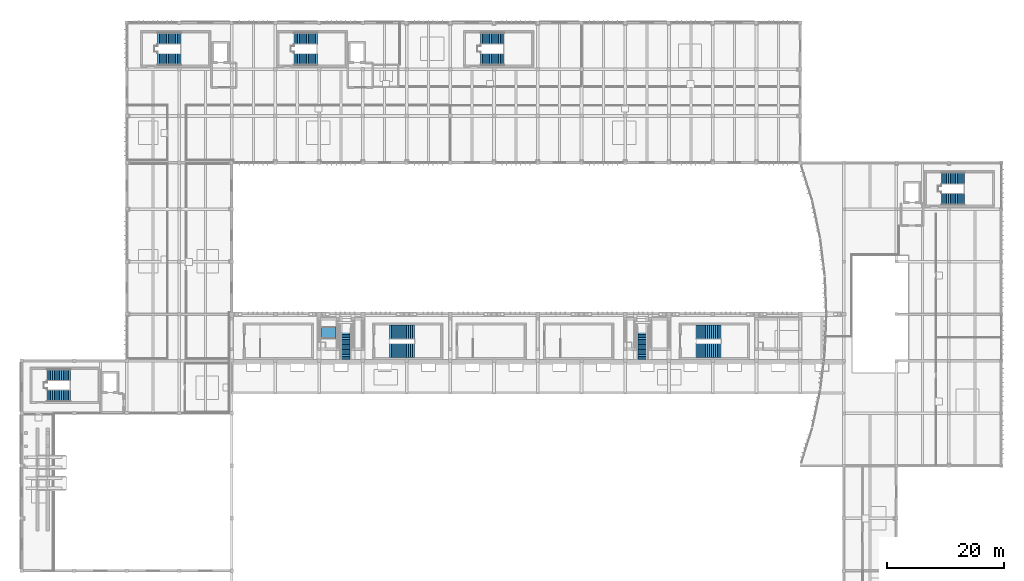
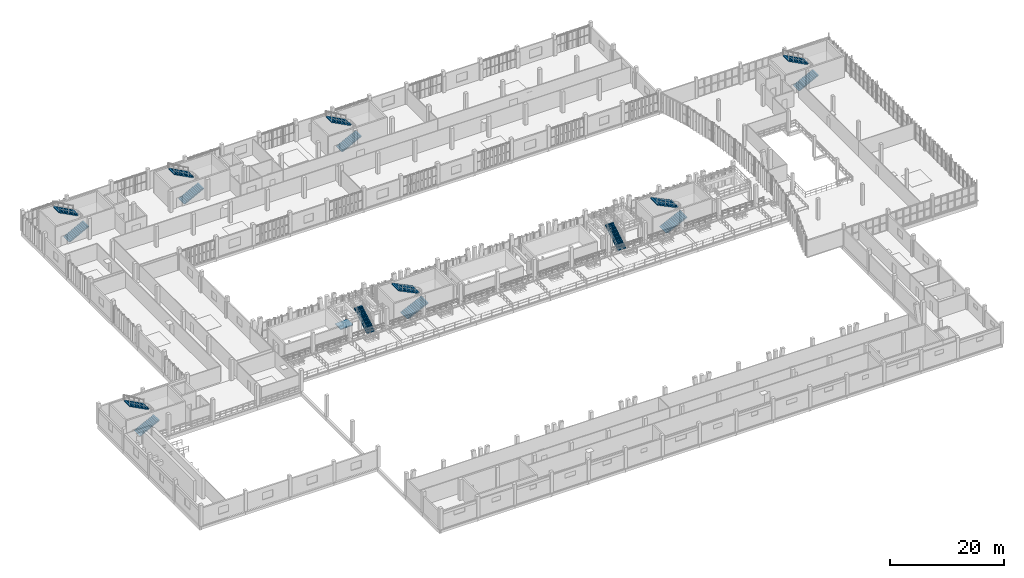
# One storey, part 60 of 81: 16 stair flights, 1 ramp flight, 10 elements without a shape of their own.
"""IFC4 building model written with IfcOpenShell, lengths in metres."""

from ifc_helpers import new_model, si_unit, direction, frame, origin, place, context, subcontext, project, spatial, polyline, outline, extrude, material, layer, layer_set, type_object, element, aggregate, save


model = new_model("IFC4")

# Units and contexts
model_context = context("Model", 3, precision=1e-05, world=origin(), true_north=direction((0.0, 1.0)))
body_context = subcontext(model_context, "Body", "Model", "MODEL_VIEW")
ifc_project = project(units=[si_unit("LENGTHUNIT", "METRE"), si_unit("AREAUNIT", "SQUARE_METRE"), si_unit("VOLUMEUNIT", "CUBIC_METRE"), si_unit("PLANEANGLEUNIT", "RADIAN"), si_unit("MASSUNIT", "GRAM", prefix="KILO")], contexts=[model_context])

# Site, building, storey
site_placement = place(None, origin())
site = spatial("IfcSite", under=ifc_project, at=site_placement, CompositionType="ELEMENT")
building_placement = place(site_placement, origin())
building = spatial("IfcBuilding", under=site, at=building_placement, Name="Vourika Railside Aquatics Centre", CompositionType="ELEMENT")
storey_placement = place(building_placement, frame((0.0, 0.0, 4.800048828125)))
storey = spatial("IfcBuildingStorey", under=building, at=storey_placement, Name="L01", CompositionType="ELEMENT", Elevation=4.800048828125)

# Stair, stair flights
ifc_material = material(Name="Concrete C35/45", Category="concrete")
stair_type_1 = type_object("IfcStairType", Name="STR-CORE-L01", PredefinedType="TWO_STRAIGHT_RUN_STAIR", material=ifc_material)
stair_1_placement = place(storey_placement, origin())
stair_1 = element("IfcStair", 1, at=stair_1_placement, inside=storey, type_object=stair_type_1, Name="Protected Exit Stair Core ST01 (L01)", PredefinedType="TWO_STRAIGHT_RUN_STAIR")
stair_flight_type_1 = type_object("IfcStairFlightType", Name="STF-CORE-L01", PredefinedType="STRAIGHT", material=ifc_material)
stair_flight_1_placement = place(storey_placement, frame((23.300048828125, 109.719970703125, 0.0), z_axis=(0.0, 0.0, 1.0), x_axis=(1.0, 0.0, 0.0)))
stair_flight_1 = element("IfcStairFlight", 2, at=stair_flight_1_placement, type_object=stair_flight_type_1, Name="STC-L01 flight 1", NumberOfRisers=14, NumberOfTreads=13, PredefinedType="STRAIGHT", RiserHeight=0.160714, TreadLength=0.308, context=body_context, shape_type="SweptSolid", body=[
    extrude(outline(polyline([(0.0, 0.0), (0.0, 0.16064453125), (0.30810546875, 0.16064453125), (0.30810546875, 0.321533203125), (0.615966796875, 0.321533203125), (0.615966796875, 0.482177734375), (0.924072265625, 0.482177734375), (0.924072265625, 0.642822265625), (1.23193359375, 0.642822265625), (1.23193359375, 0.803466796875), (1.5400390625, 0.803466796875), (1.5400390625, 0.96435546875), (1.847900390625, 0.96435546875), (1.847900390625, 1.125), (2.156005859375, 1.125), (2.156005859375, 1.28564453125), (2.464111328125, 1.28564453125), (2.464111328125, 1.446533203125), (2.77197265625, 1.446533203125), (2.77197265625, 1.607177734375), (3.080078125, 1.607177734375), (3.080078125, 1.767822265625), (3.387939453125, 1.767822265625), (3.387939453125, 1.928466796875), (3.696044921875, 1.928466796875), (3.696044921875, 2.08935546875), (4.00390625, 2.08935546875), (4.00390625, 2.25), (4.00390625, 1.908935546875), (0.345703125, 0.0), (0.0, 0.0)])), frame((0.0, 1.0, 0.0), z_axis=(0.0, -1.0, 0.0), x_axis=(1.0, 0.0, 0.0)), (0.0, 0.0, 1.0), 2.0),
])
stair_flight_2_placement = place(storey_placement, frame((27.303955078125, 113.280029296875, 2.25), z_axis=(0.0, 0.0, 1.0), x_axis=(-1.0, 0.0, 0.0)))
stair_flight_2 = element("IfcStairFlight", 3, at=stair_flight_2_placement, type_object=stair_flight_type_1, Name="STC-L01 flight 2", NumberOfRisers=14, NumberOfTreads=13, PredefinedType="STRAIGHT", RiserHeight=0.160714, TreadLength=0.308, context=body_context, shape_type="SweptSolid", body=[
    extrude(outline(polyline([(0.0, 0.0), (0.0, 0.16064453125), (0.30810546875, 0.16064453125), (0.30810546875, 0.321533203125), (0.615966796875, 0.321533203125), (0.615966796875, 0.482177734375), (0.924072265625, 0.482177734375), (0.924072265625, 0.642822265625), (1.23193359375, 0.642822265625), (1.23193359375, 0.803466796875), (1.5400390625, 0.803466796875), (1.5400390625, 0.96435546875), (1.847900390625, 0.96435546875), (1.847900390625, 1.125), (2.156005859375, 1.125), (2.156005859375, 1.28564453125), (2.464111328125, 1.28564453125), (2.464111328125, 1.446533203125), (2.77197265625, 1.446533203125), (2.77197265625, 1.607177734375), (3.080078125, 1.607177734375), (3.080078125, 1.767822265625), (3.387939453125, 1.767822265625), (3.387939453125, 1.928466796875), (3.696044921875, 1.928466796875), (3.696044921875, 2.08935546875), (4.00390625, 2.08935546875), (4.00390625, 2.25), (4.00390625, 1.908935546875), (0.345703125, 0.0), (0.0, 0.0)])), frame((0.0, 1.0, 0.0), z_axis=(0.0, -1.0, 0.0), x_axis=(1.0, 0.0, 0.0)), (0.0, 0.0, 1.0), 2.0),
])
aggregate(stair_1, [stair_flight_1, stair_flight_2])

stair_2_placement = place(storey_placement, origin())
stair_2 = element("IfcStair", 4, at=stair_2_placement, inside=storey, type_object=stair_type_1, Name="Protected Exit Stair Core ST02 (L01)", PredefinedType="TWO_STRAIGHT_RUN_STAIR")
stair_flight_3_placement = place(storey_placement, frame((46.699951171875, 109.719970703125, 0.0), z_axis=(0.0, 0.0, 1.0), x_axis=(1.0, 0.0, 0.0)))
stair_flight_3 = element("IfcStairFlight", 5, at=stair_flight_3_placement, type_object=stair_flight_type_1, Name="STC-L01 flight 1", NumberOfRisers=14, NumberOfTreads=13, PredefinedType="STRAIGHT", RiserHeight=0.160714, TreadLength=0.308, context=body_context, shape_type="SweptSolid", body=[
    extrude(outline(polyline([(0.0, 0.0), (0.0, 0.16064453125), (0.30810546875, 0.16064453125), (0.30810546875, 0.321533203125), (0.615966796875, 0.321533203125), (0.615966796875, 0.482177734375), (0.924072265625, 0.482177734375), (0.924072265625, 0.642822265625), (1.23193359375, 0.642822265625), (1.23193359375, 0.803466796875), (1.5400390625, 0.803466796875), (1.5400390625, 0.96435546875), (1.847900390625, 0.96435546875), (1.847900390625, 1.125), (2.156005859375, 1.125), (2.156005859375, 1.28564453125), (2.464111328125, 1.28564453125), (2.464111328125, 1.446533203125), (2.77197265625, 1.446533203125), (2.77197265625, 1.607177734375), (3.080078125, 1.607177734375), (3.080078125, 1.767822265625), (3.387939453125, 1.767822265625), (3.387939453125, 1.928466796875), (3.696044921875, 1.928466796875), (3.696044921875, 2.08935546875), (4.00390625, 2.08935546875), (4.00390625, 2.25), (4.00390625, 1.908935546875), (0.345703125, 0.0), (0.0, 0.0)])), frame((0.0, 1.0, 0.0), z_axis=(0.0, -1.0, 0.0), x_axis=(1.0, 0.0, 0.0)), (0.0, 0.0, 1.0), 2.0),
])
stair_flight_4_placement = place(storey_placement, frame((50.7041015625, 113.280029296875, 2.25), z_axis=(0.0, 0.0, 1.0), x_axis=(-1.0, 0.0, 0.0)))
stair_flight_4 = element("IfcStairFlight", 6, at=stair_flight_4_placement, type_object=stair_flight_type_1, Name="STC-L01 flight 2", NumberOfRisers=14, NumberOfTreads=13, PredefinedType="STRAIGHT", RiserHeight=0.160714, TreadLength=0.308, context=body_context, shape_type="SweptSolid", body=[
    extrude(outline(polyline([(0.0, 0.0), (0.0, 0.16064453125), (0.30810546875, 0.16064453125), (0.30810546875, 0.321533203125), (0.615966796875, 0.321533203125), (0.615966796875, 0.482177734375), (0.924072265625, 0.482177734375), (0.924072265625, 0.642822265625), (1.23193359375, 0.642822265625), (1.23193359375, 0.803466796875), (1.5400390625, 0.803466796875), (1.5400390625, 0.96435546875), (1.847900390625, 0.96435546875), (1.847900390625, 1.125), (2.156005859375, 1.125), (2.156005859375, 1.28564453125), (2.464111328125, 1.28564453125), (2.464111328125, 1.446533203125), (2.77197265625, 1.446533203125), (2.77197265625, 1.607177734375), (3.080078125, 1.607177734375), (3.080078125, 1.767822265625), (3.387939453125, 1.767822265625), (3.387939453125, 1.928466796875), (3.696044921875, 1.928466796875), (3.696044921875, 2.08935546875), (4.00390625, 2.08935546875), (4.00390625, 2.25), (4.00390625, 1.908935546875), (0.345703125, 0.0), (0.0, 0.0)])), frame((0.0, 1.0, 0.0), z_axis=(0.0, -1.0, 0.0), x_axis=(1.0, 0.0, 0.0)), (0.0, 0.0, 1.0), 2.0),
])
aggregate(stair_2, [stair_flight_3, stair_flight_4])

stair_3_placement = place(storey_placement, origin())
stair_3 = element("IfcStair", 7, at=stair_3_placement, inside=storey, type_object=stair_type_1, Name="Protected Exit Stair Core ST03 (L01)", PredefinedType="TWO_STRAIGHT_RUN_STAIR")
stair_flight_5_placement = place(storey_placement, frame((78.699951171875, 109.719970703125, 0.0), z_axis=(0.0, 0.0, 1.0), x_axis=(1.0, 0.0, 0.0)))
stair_flight_5 = element("IfcStairFlight", 8, at=stair_flight_5_placement, type_object=stair_flight_type_1, Name="STC-L01 flight 1", NumberOfRisers=14, NumberOfTreads=13, PredefinedType="STRAIGHT", RiserHeight=0.160714, TreadLength=0.308, context=body_context, shape_type="SweptSolid", body=[
    extrude(outline(polyline([(0.0, 0.0), (0.0, 0.16064453125), (0.30810546875, 0.16064453125), (0.30810546875, 0.321533203125), (0.615966796875, 0.321533203125), (0.615966796875, 0.482177734375), (0.924072265625, 0.482177734375), (0.924072265625, 0.642822265625), (1.23193359375, 0.642822265625), (1.23193359375, 0.803466796875), (1.5400390625, 0.803466796875), (1.5400390625, 0.96435546875), (1.847900390625, 0.96435546875), (1.847900390625, 1.125), (2.156005859375, 1.125), (2.156005859375, 1.28564453125), (2.464111328125, 1.28564453125), (2.464111328125, 1.446533203125), (2.77197265625, 1.446533203125), (2.77197265625, 1.607177734375), (3.080078125, 1.607177734375), (3.080078125, 1.767822265625), (3.387939453125, 1.767822265625), (3.387939453125, 1.928466796875), (3.696044921875, 1.928466796875), (3.696044921875, 2.08935546875), (4.00390625, 2.08935546875), (4.00390625, 2.25), (4.00390625, 1.908935546875), (0.345703125, 0.0), (0.0, 0.0)])), frame((0.0, 1.0, 0.0), z_axis=(0.0, -1.0, 0.0), x_axis=(1.0, 0.0, 0.0)), (0.0, 0.0, 1.0), 2.0),
])
stair_flight_6_placement = place(storey_placement, frame((82.7041015625, 113.280029296875, 2.25), z_axis=(0.0, 0.0, 1.0), x_axis=(-1.0, 0.0, 0.0)))
stair_flight_6 = element("IfcStairFlight", 9, at=stair_flight_6_placement, type_object=stair_flight_type_1, Name="STC-L01 flight 2", NumberOfRisers=14, NumberOfTreads=13, PredefinedType="STRAIGHT", RiserHeight=0.160714, TreadLength=0.308, context=body_context, shape_type="SweptSolid", body=[
    extrude(outline(polyline([(0.0, 0.0), (0.0, 0.16064453125), (0.30810546875, 0.16064453125), (0.30810546875, 0.321533203125), (0.615966796875, 0.321533203125), (0.615966796875, 0.482177734375), (0.924072265625, 0.482177734375), (0.924072265625, 0.642822265625), (1.23193359375, 0.642822265625), (1.23193359375, 0.803466796875), (1.5400390625, 0.803466796875), (1.5400390625, 0.96435546875), (1.847900390625, 0.96435546875), (1.847900390625, 1.125), (2.156005859375, 1.125), (2.156005859375, 1.28564453125), (2.464111328125, 1.28564453125), (2.464111328125, 1.446533203125), (2.77197265625, 1.446533203125), (2.77197265625, 1.607177734375), (3.080078125, 1.607177734375), (3.080078125, 1.767822265625), (3.387939453125, 1.767822265625), (3.387939453125, 1.928466796875), (3.696044921875, 1.928466796875), (3.696044921875, 2.08935546875), (4.00390625, 2.08935546875), (4.00390625, 2.25), (4.00390625, 1.908935546875), (0.345703125, 0.0), (0.0, 0.0)])), frame((0.0, 1.0, 0.0), z_axis=(0.0, -1.0, 0.0), x_axis=(1.0, 0.0, 0.0)), (0.0, 0.0, 1.0), 2.0),
])
aggregate(stair_3, [stair_flight_5, stair_flight_6])

stair_4_placement = place(storey_placement, origin())
stair_4 = element("IfcStair", 10, at=stair_4_placement, inside=storey, type_object=stair_type_1, Name="Protected Exit Stair Core ST04 (L01)", PredefinedType="TWO_STRAIGHT_RUN_STAIR")
stair_flight_7_placement = place(storey_placement, frame((4.35009765625, 52.02001953125, 0.0), z_axis=(0.0, 0.0, 1.0), x_axis=(1.0, 0.0, 0.0)))
stair_flight_7 = element("IfcStairFlight", 11, at=stair_flight_7_placement, type_object=stair_flight_type_1, Name="STC-L01 flight 1", NumberOfRisers=14, NumberOfTreads=13, PredefinedType="STRAIGHT", RiserHeight=0.160714, TreadLength=0.308, context=body_context, shape_type="SweptSolid", body=[
    extrude(outline(polyline([(0.0, 0.0), (0.0, 0.16064453125), (0.30810546875, 0.16064453125), (0.30810546875, 0.321533203125), (0.615966796875, 0.321533203125), (0.615966796875, 0.482177734375), (0.924072265625, 0.482177734375), (0.924072265625, 0.642822265625), (1.23193359375, 0.642822265625), (1.23193359375, 0.803466796875), (1.5400390625, 0.803466796875), (1.5400390625, 0.96435546875), (1.847900390625, 0.96435546875), (1.847900390625, 1.125), (2.156005859375, 1.125), (2.156005859375, 1.28564453125), (2.464111328125, 1.28564453125), (2.464111328125, 1.446533203125), (2.77197265625, 1.446533203125), (2.77197265625, 1.607177734375), (3.080078125, 1.607177734375), (3.080078125, 1.767822265625), (3.387939453125, 1.767822265625), (3.387939453125, 1.928466796875), (3.696044921875, 1.928466796875), (3.696044921875, 2.08935546875), (4.00390625, 2.08935546875), (4.00390625, 2.25), (4.00390625, 1.908935546875), (0.345703125, 0.0), (0.0, 0.0)])), frame((0.0, 1.0, 0.0), z_axis=(0.0, -1.0, 0.0), x_axis=(1.0, 0.0, 0.0)), (0.0, 0.0, 1.0), 2.0),
])
stair_flight_8_placement = place(storey_placement, frame((8.35400390625, 55.580078125, 2.25), z_axis=(0.0, 0.0, 1.0), x_axis=(-1.0, 0.0, 0.0)))
stair_flight_8 = element("IfcStairFlight", 12, at=stair_flight_8_placement, type_object=stair_flight_type_1, Name="STC-L01 flight 2", NumberOfRisers=14, NumberOfTreads=13, PredefinedType="STRAIGHT", RiserHeight=0.160714, TreadLength=0.308, context=body_context, shape_type="SweptSolid", body=[
    extrude(outline(polyline([(0.0, 0.0), (0.0, 0.16064453125), (0.30810546875, 0.16064453125), (0.30810546875, 0.321533203125), (0.615966796875, 0.321533203125), (0.615966796875, 0.482177734375), (0.924072265625, 0.482177734375), (0.924072265625, 0.642822265625), (1.23193359375, 0.642822265625), (1.23193359375, 0.803466796875), (1.5400390625, 0.803466796875), (1.5400390625, 0.96435546875), (1.847900390625, 0.96435546875), (1.847900390625, 1.125), (2.156005859375, 1.125), (2.156005859375, 1.28564453125), (2.464111328125, 1.28564453125), (2.464111328125, 1.446533203125), (2.77197265625, 1.446533203125), (2.77197265625, 1.607177734375), (3.080078125, 1.607177734375), (3.080078125, 1.767822265625), (3.387939453125, 1.767822265625), (3.387939453125, 1.928466796875), (3.696044921875, 1.928466796875), (3.696044921875, 2.08935546875), (4.00390625, 2.08935546875), (4.00390625, 2.25), (4.00390625, 1.908935546875), (0.345703125, 0.0), (0.0, 0.0)])), frame((0.0, 1.0, 0.0), z_axis=(0.0, -1.0, 0.0), x_axis=(1.0, 0.0, 0.0)), (0.0, 0.0, 1.0), 2.0),
])
aggregate(stair_4, [stair_flight_7, stair_flight_8])

stair_5_placement = place(storey_placement, origin())
stair_5 = element("IfcStair", 13, at=stair_5_placement, inside=storey, type_object=stair_type_1, Name="Protected Exit Stair Core ST05 (L01)", PredefinedType="TWO_STRAIGHT_RUN_STAIR")
stair_flight_9_placement = place(storey_placement, frame((157.699951171875, 85.719970703125, 0.0), z_axis=(0.0, 0.0, 1.0), x_axis=(1.0, 0.0, 0.0)))
stair_flight_9 = element("IfcStairFlight", 14, at=stair_flight_9_placement, type_object=stair_flight_type_1, Name="STC-L01 flight 1", NumberOfRisers=14, NumberOfTreads=13, PredefinedType="STRAIGHT", RiserHeight=0.160714, TreadLength=0.308, context=body_context, shape_type="SweptSolid", body=[
    extrude(outline(polyline([(0.0, 0.0), (0.0, 0.16064453125), (0.30810546875, 0.16064453125), (0.30810546875, 0.321533203125), (0.615966796875, 0.321533203125), (0.615966796875, 0.482177734375), (0.924072265625, 0.482177734375), (0.924072265625, 0.642822265625), (1.23193359375, 0.642822265625), (1.23193359375, 0.803466796875), (1.5400390625, 0.803466796875), (1.5400390625, 0.96435546875), (1.847900390625, 0.96435546875), (1.847900390625, 1.125), (2.156005859375, 1.125), (2.156005859375, 1.28564453125), (2.464111328125, 1.28564453125), (2.464111328125, 1.446533203125), (2.77197265625, 1.446533203125), (2.77197265625, 1.607177734375), (3.080078125, 1.607177734375), (3.080078125, 1.767822265625), (3.387939453125, 1.767822265625), (3.387939453125, 1.928466796875), (3.696044921875, 1.928466796875), (3.696044921875, 2.08935546875), (4.00390625, 2.08935546875), (4.00390625, 2.25), (4.00390625, 1.908935546875), (0.345703125, 0.0), (0.0, 0.0)])), frame((0.0, 1.0, 0.0), z_axis=(0.0, -1.0, 0.0), x_axis=(1.0, 0.0, 0.0)), (0.0, 0.0, 1.0), 2.0),
])
stair_flight_10_placement = place(storey_placement, frame((161.7041015625, 89.280029296875, 2.25), z_axis=(0.0, 0.0, 1.0), x_axis=(-1.0, 0.0, 0.0)))
stair_flight_10 = element("IfcStairFlight", 15, at=stair_flight_10_placement, type_object=stair_flight_type_1, Name="STC-L01 flight 2", NumberOfRisers=14, NumberOfTreads=13, PredefinedType="STRAIGHT", RiserHeight=0.160714, TreadLength=0.308, context=body_context, shape_type="SweptSolid", body=[
    extrude(outline(polyline([(0.0, 0.0), (0.0, 0.16064453125), (0.30810546875, 0.16064453125), (0.30810546875, 0.321533203125), (0.615966796875, 0.321533203125), (0.615966796875, 0.482177734375), (0.924072265625, 0.482177734375), (0.924072265625, 0.642822265625), (1.23193359375, 0.642822265625), (1.23193359375, 0.803466796875), (1.5400390625, 0.803466796875), (1.5400390625, 0.96435546875), (1.847900390625, 0.96435546875), (1.847900390625, 1.125), (2.156005859375, 1.125), (2.156005859375, 1.28564453125), (2.464111328125, 1.28564453125), (2.464111328125, 1.446533203125), (2.77197265625, 1.446533203125), (2.77197265625, 1.607177734375), (3.080078125, 1.607177734375), (3.080078125, 1.767822265625), (3.387939453125, 1.767822265625), (3.387939453125, 1.928466796875), (3.696044921875, 1.928466796875), (3.696044921875, 2.08935546875), (4.00390625, 2.08935546875), (4.00390625, 2.25), (4.00390625, 1.908935546875), (0.345703125, 0.0), (0.0, 0.0)])), frame((0.0, 1.0, 0.0), z_axis=(0.0, -1.0, 0.0), x_axis=(1.0, 0.0, 0.0)), (0.0, 0.0, 1.0), 2.0),
])
aggregate(stair_5, [stair_flight_9, stair_flight_10])

# Stair, stair flight
stair_type_2 = type_object("IfcStairType", Name="STR-VOM-BOWL", PredefinedType="STRAIGHT_RUN_STAIR", material=ifc_material)
stair_6_placement = place(storey_placement, origin())
stair_6 = element("IfcStair", 16, at=stair_6_placement, inside=storey, type_object=stair_type_2, Name="Upper Bowl Vomitory Gangway Stair VOM5", PredefinedType="STRAIGHT_RUN_STAIR")
stair_flight_type_2 = type_object("IfcStairFlightType", Name="STF-VOM-BOWL", PredefinedType="STRAIGHT", material=ifc_material)
stair_flight_11_placement = place(storey_placement, frame((55.5, 58.199951171875, 0.0), z_axis=(0.0, 0.0, 1.0), x_axis=(0.0, 1.0, 0.0)))
stair_flight_11 = element("IfcStairFlight", 17, at=stair_flight_11_placement, type_object=stair_flight_type_2, Name="STV-2 flight 1", NumberOfRisers=17, NumberOfTreads=16, PredefinedType="STRAIGHT", RiserHeight=0.175, TreadLength=0.29, context=body_context, shape_type="SweptSolid", body=[
    extrude(outline(polyline([(0.0, 0.0), (0.0, 0.175048828125), (0.2900390625, 0.175048828125), (0.2900390625, 0.35009765625), (0.580078125, 0.35009765625), (0.580078125, 0.52490234375), (0.8701171875, 0.52490234375), (0.8701171875, 0.699951171875), (1.159912109375, 0.699951171875), (1.159912109375, 0.875), (1.449951171875, 0.875), (1.449951171875, 1.050048828125), (1.739990234375, 1.050048828125), (1.739990234375, 1.22509765625), (2.030029296875, 1.22509765625), (2.030029296875, 1.39990234375), (2.320068359375, 1.39990234375), (2.320068359375, 1.574951171875), (2.610107421875, 1.574951171875), (2.610107421875, 1.75), (2.89990234375, 1.75), (2.89990234375, 1.925048828125), (3.18994140625, 1.925048828125), (3.18994140625, 2.10009765625), (3.47998046875, 2.10009765625), (3.47998046875, 2.27490234375), (3.77001953125, 2.27490234375), (3.77001953125, 2.449951171875), (4.06005859375, 2.449951171875), (4.06005859375, 2.625), (4.35009765625, 2.625), (4.35009765625, 2.800048828125), (4.639892578125, 2.800048828125), (4.639892578125, 2.97509765625), (4.639892578125, 2.61328125), (0.3095703125, 0.0), (0.0, 0.0)])), frame((0.0, 0.824951171875, 0.0), z_axis=(0.0, -1.0, 0.0), x_axis=(1.0, 0.0, 0.0)), (0.0, 0.0, 1.0), 1.64990234375),
])
aggregate(stair_6, [stair_flight_11])

stair_7_placement = place(storey_placement, origin())
stair_7 = element("IfcStair", 18, at=stair_7_placement, inside=storey, type_object=stair_type_2, Name="Upper Bowl Vomitory Gangway Stair VOM6", PredefinedType="STRAIGHT_RUN_STAIR")
stair_flight_12_placement = place(storey_placement, frame((106.5, 58.199951171875, 0.0), z_axis=(0.0, 0.0, 1.0), x_axis=(0.0, 1.0, 0.0)))
stair_flight_12 = element("IfcStairFlight", 19, at=stair_flight_12_placement, type_object=stair_flight_type_2, Name="STV-2 flight 1", NumberOfRisers=17, NumberOfTreads=16, PredefinedType="STRAIGHT", RiserHeight=0.175, TreadLength=0.29, context=body_context, shape_type="SweptSolid", body=[
    extrude(outline(polyline([(0.0, 0.0), (0.0, 0.175048828125), (0.2900390625, 0.175048828125), (0.2900390625, 0.35009765625), (0.580078125, 0.35009765625), (0.580078125, 0.52490234375), (0.8701171875, 0.52490234375), (0.8701171875, 0.699951171875), (1.159912109375, 0.699951171875), (1.159912109375, 0.875), (1.449951171875, 0.875), (1.449951171875, 1.050048828125), (1.739990234375, 1.050048828125), (1.739990234375, 1.22509765625), (2.030029296875, 1.22509765625), (2.030029296875, 1.39990234375), (2.320068359375, 1.39990234375), (2.320068359375, 1.574951171875), (2.610107421875, 1.574951171875), (2.610107421875, 1.75), (2.89990234375, 1.75), (2.89990234375, 1.925048828125), (3.18994140625, 1.925048828125), (3.18994140625, 2.10009765625), (3.47998046875, 2.10009765625), (3.47998046875, 2.27490234375), (3.77001953125, 2.27490234375), (3.77001953125, 2.449951171875), (4.06005859375, 2.449951171875), (4.06005859375, 2.625), (4.35009765625, 2.625), (4.35009765625, 2.800048828125), (4.639892578125, 2.800048828125), (4.639892578125, 2.97509765625), (4.639892578125, 2.61328125), (0.3095703125, 0.0), (0.0, 0.0)])), frame((0.0, 0.824951171875, 0.0), z_axis=(0.0, -1.0, 0.0), x_axis=(1.0, 0.0, 0.0)), (0.0, 0.0, 1.0), 1.64990234375),
])
aggregate(stair_7, [stair_flight_12])

# Stair, stair flights
stair_type_3 = type_object("IfcStairType", Name="STR-VOM-L01", PredefinedType="TWO_STRAIGHT_RUN_STAIR", material=ifc_material)
stair_8_placement = place(storey_placement, origin())
stair_8 = element("IfcStair", 20, at=stair_8_placement, inside=storey, type_object=stair_type_3, Name="Grandstand Vomitory Exit Stair ST08 (L01-L02)", PredefinedType="TWO_STRAIGHT_RUN_STAIR")
stair_flight_type_3 = type_object("IfcStairFlightType", Name="STF-VOM-L01", PredefinedType="STRAIGHT", material=ifc_material)
stair_flight_13_placement = place(storey_placement, frame((63.050048828125, 59.780029296875, 0.0), z_axis=(0.0, 0.0, 1.0), x_axis=(1.0, 0.0, 0.0)))
stair_flight_13 = element("IfcStairFlight", 21, at=stair_flight_13_placement, type_object=stair_flight_type_3, Name="STV-3 flight 1", NumberOfRisers=14, NumberOfTreads=13, PredefinedType="STRAIGHT", RiserHeight=0.160714, TreadLength=0.33, context=body_context, shape_type="SweptSolid", body=[
    extrude(outline(polyline([(0.0, 0.0), (0.0, 0.16064453125), (0.330078125, 0.16064453125), (0.330078125, 0.321533203125), (0.659912109375, 0.321533203125), (0.659912109375, 0.482177734375), (0.989990234375, 0.482177734375), (0.989990234375, 0.642822265625), (1.320068359375, 0.642822265625), (1.320068359375, 0.803466796875), (1.64990234375, 0.803466796875), (1.64990234375, 0.96435546875), (1.97998046875, 0.96435546875), (1.97998046875, 1.125), (2.31005859375, 1.125), (2.31005859375, 1.28564453125), (2.639892578125, 1.28564453125), (2.639892578125, 1.446533203125), (2.969970703125, 1.446533203125), (2.969970703125, 1.607177734375), (3.300048828125, 1.607177734375), (3.300048828125, 1.767822265625), (3.6298828125, 1.767822265625), (3.6298828125, 1.928466796875), (3.9599609375, 1.928466796875), (3.9599609375, 2.08935546875), (4.2900390625, 2.08935546875), (4.2900390625, 2.25), (4.2900390625, 1.88916015625), (0.410888671875, 0.0), (0.0, 0.0)])), frame((0.0, 1.2099609375, 0.0), z_axis=(0.0, -1.0, 0.0), x_axis=(1.0, 0.0, 0.0)), (0.0, 0.0, 1.0), 2.419921875),
])
stair_flight_14_placement = place(storey_placement, frame((67.340087890625, 62.919921875, 2.25), z_axis=(0.0, 0.0, 1.0), x_axis=(-1.0, 0.0, 0.0)))
stair_flight_14 = element("IfcStairFlight", 22, at=stair_flight_14_placement, type_object=stair_flight_type_3, Name="STV-3 flight 2", NumberOfRisers=14, NumberOfTreads=13, PredefinedType="STRAIGHT", RiserHeight=0.160714, TreadLength=0.33, context=body_context, shape_type="SweptSolid", body=[
    extrude(outline(polyline([(0.0, 0.0), (0.0, 0.16064453125), (0.330078125, 0.16064453125), (0.330078125, 0.321533203125), (0.659912109375, 0.321533203125), (0.659912109375, 0.482177734375), (0.989990234375, 0.482177734375), (0.989990234375, 0.642822265625), (1.320068359375, 0.642822265625), (1.320068359375, 0.803466796875), (1.64990234375, 0.803466796875), (1.64990234375, 0.96435546875), (1.97998046875, 0.96435546875), (1.97998046875, 1.125), (2.31005859375, 1.125), (2.31005859375, 1.28564453125), (2.639892578125, 1.28564453125), (2.639892578125, 1.446533203125), (2.969970703125, 1.446533203125), (2.969970703125, 1.607177734375), (3.300048828125, 1.607177734375), (3.300048828125, 1.767822265625), (3.6298828125, 1.767822265625), (3.6298828125, 1.928466796875), (3.9599609375, 1.928466796875), (3.9599609375, 2.08935546875), (4.2900390625, 2.08935546875), (4.2900390625, 2.25), (4.2900390625, 1.88916015625), (0.410888671875, 0.0), (0.0, 0.0)])), frame((0.0, 1.2099609375, 0.0), z_axis=(0.0, -1.0, 0.0), x_axis=(1.0, 0.0, 0.0)), (0.0, 0.0, 1.0), 2.419921875),
])
aggregate(stair_8, [stair_flight_13, stair_flight_14])

stair_9_placement = place(storey_placement, origin())
stair_9 = element("IfcStair", 23, at=stair_9_placement, inside=storey, type_object=stair_type_3, Name="Grandstand Vomitory Exit Stair ST10 (L01-L02)", PredefinedType="TWO_STRAIGHT_RUN_STAIR")
stair_flight_15_placement = place(storey_placement, frame((115.64990234375, 59.780029296875, 0.0), z_axis=(0.0, 0.0, 1.0), x_axis=(1.0, 0.0, 0.0)))
stair_flight_15 = element("IfcStairFlight", 24, at=stair_flight_15_placement, type_object=stair_flight_type_3, Name="STV-3 flight 1", NumberOfRisers=14, NumberOfTreads=13, PredefinedType="STRAIGHT", RiserHeight=0.160714, TreadLength=0.33, context=body_context, shape_type="SweptSolid", body=[
    extrude(outline(polyline([(0.0, 0.0), (0.0, 0.16064453125), (0.330078125, 0.16064453125), (0.330078125, 0.321533203125), (0.659912109375, 0.321533203125), (0.659912109375, 0.482177734375), (0.989990234375, 0.482177734375), (0.989990234375, 0.642822265625), (1.320068359375, 0.642822265625), (1.320068359375, 0.803466796875), (1.64990234375, 0.803466796875), (1.64990234375, 0.96435546875), (1.97998046875, 0.96435546875), (1.97998046875, 1.125), (2.31005859375, 1.125), (2.31005859375, 1.28564453125), (2.639892578125, 1.28564453125), (2.639892578125, 1.446533203125), (2.969970703125, 1.446533203125), (2.969970703125, 1.607177734375), (3.300048828125, 1.607177734375), (3.300048828125, 1.767822265625), (3.6298828125, 1.767822265625), (3.6298828125, 1.928466796875), (3.9599609375, 1.928466796875), (3.9599609375, 2.08935546875), (4.2900390625, 2.08935546875), (4.2900390625, 2.25), (4.2900390625, 1.88916015625), (0.410888671875, 0.0), (0.0, 0.0)])), frame((0.0, 1.2099609375, 0.0), z_axis=(0.0, -1.0, 0.0), x_axis=(1.0, 0.0, 0.0)), (0.0, 0.0, 1.0), 2.419921875),
])
stair_flight_16_placement = place(storey_placement, frame((119.93994140625, 62.919921875, 2.25), z_axis=(0.0, 0.0, 1.0), x_axis=(-1.0, 0.0, 0.0)))
stair_flight_16 = element("IfcStairFlight", 25, at=stair_flight_16_placement, type_object=stair_flight_type_3, Name="STV-3 flight 2", NumberOfRisers=14, NumberOfTreads=13, PredefinedType="STRAIGHT", RiserHeight=0.160714, TreadLength=0.33, context=body_context, shape_type="SweptSolid", body=[
    extrude(outline(polyline([(0.0, 0.0), (0.0, 0.16064453125), (0.330078125, 0.16064453125), (0.330078125, 0.321533203125), (0.659912109375, 0.321533203125), (0.659912109375, 0.482177734375), (0.989990234375, 0.482177734375), (0.989990234375, 0.642822265625), (1.320068359375, 0.642822265625), (1.320068359375, 0.803466796875), (1.64990234375, 0.803466796875), (1.64990234375, 0.96435546875), (1.97998046875, 0.96435546875), (1.97998046875, 1.125), (2.31005859375, 1.125), (2.31005859375, 1.28564453125), (2.639892578125, 1.28564453125), (2.639892578125, 1.446533203125), (2.969970703125, 1.446533203125), (2.969970703125, 1.607177734375), (3.300048828125, 1.607177734375), (3.300048828125, 1.767822265625), (3.6298828125, 1.767822265625), (3.6298828125, 1.928466796875), (3.9599609375, 1.928466796875), (3.9599609375, 2.08935546875), (4.2900390625, 2.08935546875), (4.2900390625, 2.25), (4.2900390625, 1.88916015625), (0.410888671875, 0.0), (0.0, 0.0)])), frame((0.0, 1.2099609375, 0.0), z_axis=(0.0, -1.0, 0.0), x_axis=(1.0, 0.0, 0.0)), (0.0, 0.0, 1.0), 2.419921875),
])
aggregate(stair_9, [stair_flight_15, stair_flight_16])

# Ramp, ramp flight
ramp_type = type_object("IfcRampType", Name="RMP-ACC-200", PredefinedType="STRAIGHT_RUN_RAMP", material=ifc_material)
ramp_placement = place(storey_placement, origin())
ramp = element("IfcRamp", 26, at=ramp_placement, inside=storey, type_object=ramp_type, Name="Grandstand Wheelchair Viewing Ramp AR4", PredefinedType="STRAIGHT_RUN_RAMP")
ifc_layer = layer(ifc_material, 0.199951171875, Name="RMF-ACC-200")
ifc_layer_set = layer_set([ifc_layer], Name="Concrete C35/45")
ramp_flight_type = type_object("IfcRampFlightType", Name="RMF-ACC-200", PredefinedType="STRAIGHT", material=ifc_layer_set)
ramp_flight_placement = place(storey_placement, frame((51.39990234375, 62.800048828125, 0.0), z_axis=(0.0, 0.0, 1.0), x_axis=(1.0, 0.0, 0.0)))
ramp_flight = element("IfcRampFlight", 27, at=ramp_flight_placement, type_object=ramp_flight_type, Name="Grandstand Wheelchair Viewing Ramp AR4 Flight", PredefinedType="STRAIGHT", context=body_context, shape_type="SweptSolid", body=[
    extrude(outline(polyline([(0.0, 0.0), (2.5, 0.119873046875), (2.5, -0.080078125), (0.0, -0.199951171875), (0.0, 0.0)])), frame((0.0, 1.0, 0.0), z_axis=(0.0, -1.0, 0.0), x_axis=(1.0, 0.0, 0.0)), (0.0, 0.0, 1.0), 2.0),
])
aggregate(ramp, [ramp_flight])

save(model, "model.ifc")
